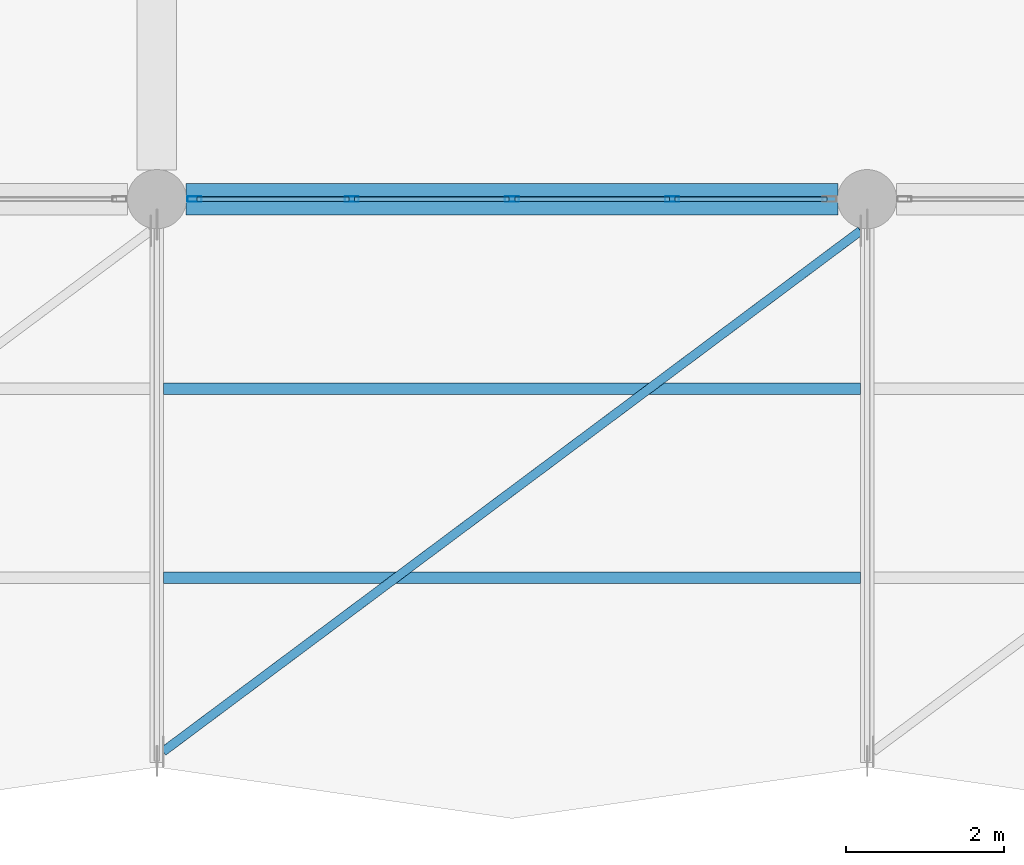
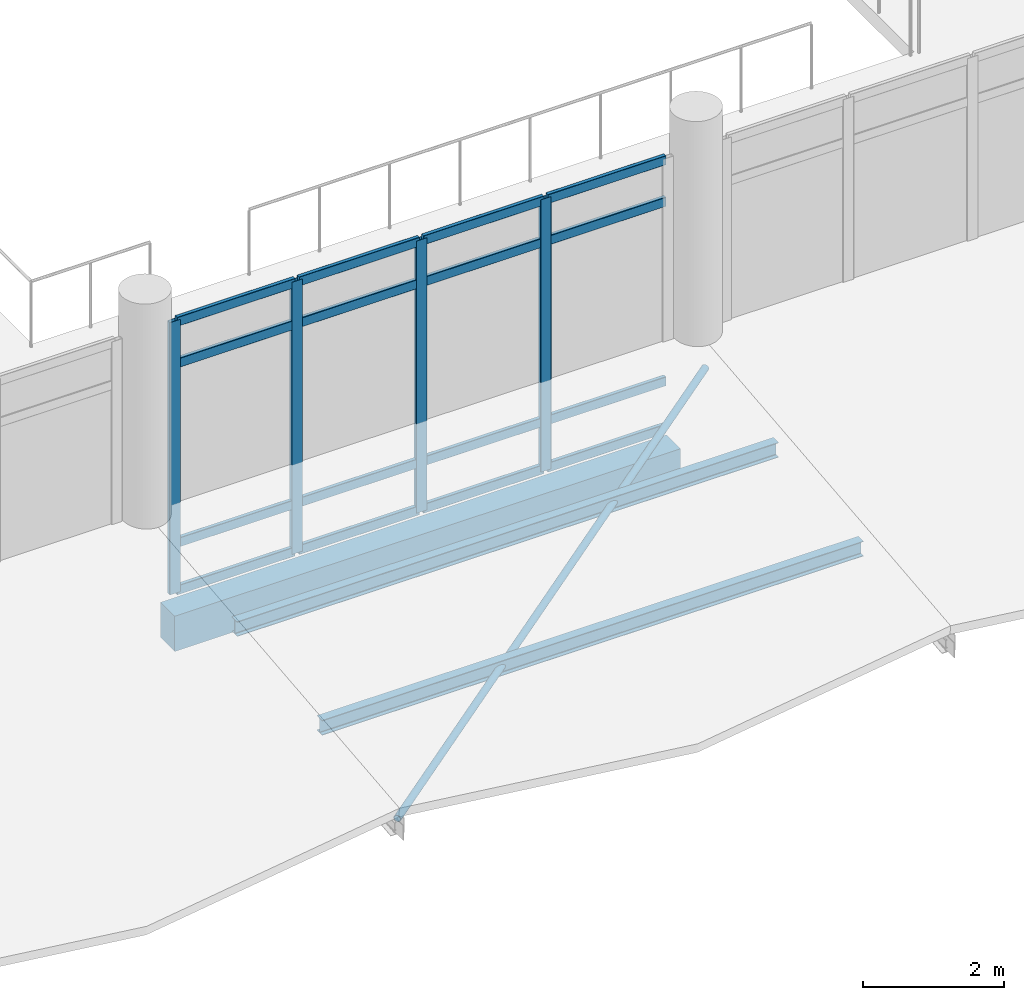
# One storey, part 35 of 180: 21 members, 3 beams, 1 element without a shape of its own.
"""IFC4 building model written with IfcOpenShell, lengths in metres."""

import ifcopenshell
import ifcopenshell.guid

model = None  # the IFC model being written
_history = None  # IfcOwnerHistory: only IFC2X3 demands one
_inside = {}  # id of a spatial element -> (the spatial element, [elements in it])
_under = {}  # id of a project, library or spatial element -> (it, [spatial elements below it])
_declared = {}  # id of a project -> (the project, [libraries it declares])
_typed = {}  # id of a type object -> (the type object, [elements of that type])
_made_of = {}  # id of a material, layer set ... -> (it, [elements and type objects made of it])


def new_model(schema):
    """Start an empty IFC model of exactly this schema.

    Asked for "IFC4X3", IfcOpenShell would pick the latest addendum, in which some entities
    have other attributes; the version numbers below select the first issue.
    IFC2X3 requires an IfcOwnerHistory on every rooted entity: one is made here for all.
    """
    global model, _history
    if schema == "IFC4X3":
        model = ifcopenshell.file(schema_version=(4, 3, 0, 0))
    else:
        model = ifcopenshell.file(schema=schema)
    _inside.clear()
    _under.clear()
    _declared.clear()
    _typed.clear()
    _made_of.clear()
    _history = None
    if model.schema == "IFC2X3":
        org = make("IfcOrganization", Name="unknown")
        user = make(
            "IfcPersonAndOrganization",
            ThePerson=make("IfcPerson", FamilyName="unknown"),
            TheOrganization=org,
        )
        app = make(
            "IfcApplication",
            ApplicationDeveloper=org,
            Version="unknown",
            ApplicationFullName="unknown",
            ApplicationIdentifier="unknown",
        )
        _history = make(
            "IfcOwnerHistory",
            OwningUser=user,
            OwningApplication=app,
            ChangeAction="ADDED",
            CreationDate=0,
        )
    return model


def make(cls, **values):
    """One entity of the class cls with the attributes given. An attribute that is None is left unset."""
    return model.create_entity(
        cls, **{name: value for name, value in values.items() if value is not None}
    )


def rooted(cls, **values):
    """An entity with a GlobalId (a new one), such as an element, a storey or a relation."""
    return make(cls, GlobalId=ifcopenshell.guid.new(), OwnerHistory=_history, **values)


def si_unit(unit_type, name, prefix=None):
    """IfcSIUnit, for example si_unit("LENGTHUNIT", "METRE", prefix="MILLI")."""
    return make("IfcSIUnit", UnitType=unit_type, Prefix=prefix, Name=name)


def assignment(units):
    """IfcUnitAssignment: the units of a project."""
    return None if units is None else make("IfcUnitAssignment", Units=units)


def point(xyz):
    """IfcCartesianPoint."""
    return None if xyz is None else make("IfcCartesianPoint", Coordinates=xyz)


def direction(xyz):
    """IfcDirection."""
    return None if xyz is None else make("IfcDirection", DirectionRatios=xyz)


def frame(location, z_axis=None, x_axis=None):
    """IfcAxis2Placement3D, a coordinate frame: its origin and axes. An axis left out is left unset."""
    return make(
        "IfcAxis2Placement3D",
        Location=point(location),
        Axis=direction(z_axis),
        RefDirection=direction(x_axis),
    )


def frame_2d(location, x_axis=None):
    """IfcAxis2Placement2D, a coordinate frame in the plane: its origin and x axis."""
    return make(
        "IfcAxis2Placement2D", Location=point(location), RefDirection=direction(x_axis)
    )


def origin():
    """The frame at (0, 0, 0) with its axes left unset."""
    return frame((0.0, 0.0, 0.0))


def origin_2d():
    """The frame at (0, 0) in the plane with its x axis left unset."""
    return frame_2d((0.0, 0.0))


def place(relative_to, where):
    """IfcLocalPlacement: puts the frame where relative to a parent placement (None: the world)."""
    return make(
        "IfcLocalPlacement", PlacementRelTo=relative_to, RelativePlacement=where
    )


def context(
    kind, dimensions, precision=None, world=None, true_north=None, identifier=None
):
    """IfcGeometricRepresentationContext, for example the 3D "Model" context."""
    return make(
        "IfcGeometricRepresentationContext",
        ContextIdentifier=identifier,
        ContextType=kind,
        CoordinateSpaceDimension=dimensions,
        Precision=precision,
        WorldCoordinateSystem=world,
        TrueNorth=true_north,
    )


def subcontext(parent, identifier, kind, view, scale=None):
    """IfcGeometricRepresentationSubContext, for example "Body" below "Model"."""
    return make(
        "IfcGeometricRepresentationSubContext",
        ContextIdentifier=identifier,
        ContextType=kind,
        ParentContext=parent,
        TargetScale=scale,
        TargetView=view,
    )


def project(units=None, contexts=None):
    """IfcProject with its units and contexts."""
    return rooted(
        "IfcProject",
        Name="project",
        RepresentationContexts=contexts,
        UnitsInContext=assignment(units),
    )


def spatial(cls, under=None, at=None, **own):
    """A site, building, storey or space (cls), placed at a placement, below another one or the project."""
    s = rooted(cls, ObjectPlacement=at, **own)
    if under is not None:
        _under.setdefault(under.id(), (under, []))[1].append(s)
    return s


def profile(cls, at=None, kind="AREA", **sizes):
    """A parametric profile (cls). Its sizes go by their IFC names, for example OverallWidth=200.0."""
    return make(cls, ProfileType=kind, Position=at, **sizes)


def rectangle(**sizes):
    """IfcRectangleProfileDef."""
    return profile("IfcRectangleProfileDef", **sizes)


def hollow_rectangle(**sizes):
    """IfcRectangleHollowProfileDef."""
    return profile("IfcRectangleHollowProfileDef", **sizes)


def hollow_circle(**sizes):
    """IfcCircleHollowProfileDef."""
    return profile("IfcCircleHollowProfileDef", **sizes)


def i_section(**sizes):
    """IfcIShapeProfileDef."""
    return profile("IfcIShapeProfileDef", **sizes)


def extrude(swept, where, along, depth):
    """IfcExtrudedAreaSolid: the profile swept, set in the frame where, extruded along a direction by depth."""
    return make(
        "IfcExtrudedAreaSolid",
        SweptArea=swept,
        Position=where,
        ExtrudedDirection=direction(along),
        Depth=depth,
    )


def shape(context_of_items, identifier, shape_type, items):
    """IfcShapeRepresentation: the items that make up one representation, for example the "Body"."""
    return make(
        "IfcShapeRepresentation",
        ContextOfItems=context_of_items,
        RepresentationIdentifier=identifier,
        RepresentationType=shape_type,
        Items=items,
    )


def material(Name=None, Category=None):
    """IfcMaterial."""
    return make("IfcMaterial", Name=Name, Category=Category)


def material_profile(
    of_material, cross_section, Name=None, Category=None, Priority=None
):
    """IfcMaterialProfile: a cross section and its material."""
    return make(
        "IfcMaterialProfile",
        Name=Name,
        Material=of_material,
        Profile=cross_section,
        Priority=Priority,
        Category=Category,
    )


def profile_set(profiles, Name=None, composite=None):
    """IfcMaterialProfileSet."""
    return make(
        "IfcMaterialProfileSet",
        Name=Name,
        MaterialProfiles=profiles,
        CompositeProfile=composite,
    )


def made_of(thing, what):
    """Note that an element or type object is made of a material, layer set ...; save() writes the relation."""
    if what is not None:
        _made_of.setdefault(what.id(), (what, []))[1].append(thing)
    return thing


def type_object(cls, material=None, **own):
    """A type object (cls), such as IfcWallType, which elements share."""
    return made_of(rooted(cls, **own), material)


def element(
    cls,
    number,
    at=None,
    inside=None,
    cuts=None,
    type_object=None,
    material=None,
    context=None,
    identifier="Body",
    shape_type=None,
    held_by="IfcProductDefinitionShape",
    body=None,
    shapes=None,
    **own,
):
    """One element of the class cls, such as IfcWall. Its Tag is "e" and its number.

    at: its placement. inside: the storey or other place that contains it. cuts: it is an
    opening in that element (IfcRelVoidsElement). A single representation is given by context,
    identifier, shape_type and body (its items); several are given by shapes. held_by: the class
    of the entity that holds the representations. save() writes the other relations.
    """
    e = rooted(cls, Tag="e%d" % number, ObjectPlacement=at, **own)
    if body is not None:
        shapes = [shape(context, identifier, shape_type, body)]
    if shapes is not None:
        e.Representation = make(held_by, Representations=shapes)
    if inside is not None:
        _inside.setdefault(inside.id(), (inside, []))[1].append(e)
    if cuts is not None:
        rooted(
            "IfcRelVoidsElement", RelatingBuildingElement=cuts, RelatedOpeningElement=e
        )
    if type_object is not None:
        _typed.setdefault(type_object.id(), (type_object, []))[1].append(e)
    return made_of(e, material)


def aggregate(whole, parts):
    """IfcRelAggregates: a whole, such as a stair, and the parts it consists of."""
    return rooted("IfcRelAggregates", RelatingObject=whole, RelatedObjects=parts)


def save(model, path):
    """Write the relations noted so far, then the file.

    IfcRelAggregates (storeys below a building ...), IfcRelContainedInSpatialStructure (elements
    in a storey), IfcRelDefinesByType, IfcRelAssociatesMaterial and IfcRelDeclares: one each for
    every whole, place, type object, material and project.
    """
    for whole, parts in _under.values():
        aggregate(whole, parts)
    for where, things in _inside.values():
        rooted(
            "IfcRelContainedInSpatialStructure",
            RelatedElements=things,
            RelatingStructure=where,
        )
    for kind, things in _typed.values():
        rooted("IfcRelDefinesByType", RelatedObjects=things, RelatingType=kind)
    for what, things in _made_of.values():
        rooted("IfcRelAssociatesMaterial", RelatedObjects=things, RelatingMaterial=what)
    for by, libraries in _declared.values():
        rooted("IfcRelDeclares", RelatingContext=by, RelatedDefinitions=libraries)
    model.write(path)


model = new_model("IFC4")

# Units and contexts
model_context = context("Model", 3, precision=1e-05, world=origin(), true_north=direction((0.0, 1.0)))
body_context = subcontext(model_context, "Body", "Model", "MODEL_VIEW")
ifc_project = project(units=[si_unit("LENGTHUNIT", "METRE"), si_unit("AREAUNIT", "SQUARE_METRE"), si_unit("VOLUMEUNIT", "CUBIC_METRE"), si_unit("PLANEANGLEUNIT", "RADIAN"), si_unit("MASSUNIT", "GRAM", prefix="KILO")], contexts=[model_context])

# Site, building, storey
site_placement = place(None, origin())
site = spatial("IfcSite", under=ifc_project, at=site_placement, CompositionType="ELEMENT")
building_placement = place(site_placement, origin())
building = spatial("IfcBuilding", under=site, at=building_placement, Name="Lusvemor Sports Hall", CompositionType="ELEMENT")
storey_placement = place(building_placement, frame((0.0, 0.0, 5.39990234375)))
storey = spatial("IfcBuildingStorey", under=building, at=storey_placement, Name="L01", CompositionType="ELEMENT", Elevation=5.39990234375)

# Member
ifc_material_1 = material(Name="Steel S355", Category="steel")
ifc_material_profile_1 = material_profile(ifc_material_1, hollow_circle(Radius=0.05712890625, WallThickness=0.00634765625, at=origin_2d()), Name="CHS114.3x6.3")
ifc_profile_set_1 = profile_set([ifc_material_profile_1], Name="Steel S355")
member_type_1 = type_object("IfcMemberType", Name="BRACE_CANOPY_114", PredefinedType="BRACE", material=ifc_profile_set_1)
member_1_placement = place(storey_placement, frame((84.679931640625, 0.199951171875, 0.4736328125), z_axis=(0.799750589505, 0.597101754721, 0.062197179156), x_axis=(-0.59826005728, 0.801302005403, 0.0)))
element("IfcMember", 1, at=member_1_placement, inside=storey, type_object=member_type_1, Name="Canopy Wind Brace 9", PredefinedType="BRACE", context=body_context, shape_type="SweptSolid", body=[
    extrude(hollow_circle(Radius=0.05712890625, WallThickness=0.00634765625, at=origin_2d()), origin(), (0.0, 0.0, 1.0), 11.053466796875),
])

# Curtain wall, members
ifc_material_2 = material(Name="Thermally broken bronze-anodized aluminium", Category="aluminium")
curtain_wall_type = type_object("IfcCurtainWallType", Name="CW_FOYER_A", PredefinedType="NOTDEFINED", material=ifc_material_2)
curtain_wall_placement = place(storey_placement, origin())
curtain_wall = element("IfcCurtainWall", 2, at=curtain_wall_placement, inside=storey, type_object=curtain_wall_type, Name="Curtain Wall CW-V4S-L01-1", PredefinedType="NOTDEFINED")
ifc_material_3 = material(Name="Thermally broken bronze-anodized aluminium", Category="aluminium")
ifc_material_profile_2 = material_profile(ifc_material_3, hollow_rectangle(XDim=0.070068359375, YDim=0.179931640625, WallThickness=0.0048828125, InnerFilletRadius=0.0048828125, OuterFilletRadius=0.010009765625, at=origin_2d()), Name="CWMUL180x70x5")
ifc_profile_set_2 = profile_set([ifc_material_profile_2], Name="Thermally broken bronze-anodized aluminium")
member_type_2 = type_object("IfcMemberType", Name="CW_MUL_A", PredefinedType="MULLION", material=ifc_profile_set_2)
member_2_placement = place(storey_placement, frame((91.1298828125, 7.199951171875, 0.0), z_axis=(0.0, 0.0, 1.0), x_axis=(0.0, -1.0, 0.0)))
member_2 = element("IfcMember", 3, at=member_2_placement, type_object=member_type_2, Name="CW01 mullion 2", PredefinedType="MULLION", context=body_context, shape_type="SweptSolid", body=[
    extrude(hollow_rectangle(XDim=0.070068359375, YDim=0.179931640625, WallThickness=0.0048828125, InnerFilletRadius=0.0048828125, OuterFilletRadius=0.010009765625, at=origin_2d()), origin(), (0.0, 0.0, 1.0), 4.7001953125),
])
member_3_placement = place(storey_placement, frame((89.10009765625, 7.199951171875, 0.0), z_axis=(0.0, 0.0, 1.0), x_axis=(0.0, -1.0, 0.0)))
member_3 = element("IfcMember", 4, at=member_3_placement, type_object=member_type_2, Name="CW01 mullion 3", PredefinedType="MULLION", context=body_context, shape_type="SweptSolid", body=[
    extrude(hollow_rectangle(XDim=0.070068359375, YDim=0.179931640625, WallThickness=0.0048828125, InnerFilletRadius=0.0048828125, OuterFilletRadius=0.010009765625, at=origin_2d()), origin(), (0.0, 0.0, 1.0), 4.7001953125),
])
member_4_placement = place(storey_placement, frame((87.070068359375, 7.199951171875, 0.0), z_axis=(0.0, 0.0, 1.0), x_axis=(0.0, -1.0, 0.0)))
member_4 = element("IfcMember", 5, at=member_4_placement, type_object=member_type_2, Name="CW01 mullion 4", PredefinedType="MULLION", context=body_context, shape_type="SweptSolid", body=[
    extrude(hollow_rectangle(XDim=0.070068359375, YDim=0.179931640625, WallThickness=0.0048828125, InnerFilletRadius=0.0048828125, OuterFilletRadius=0.010009765625, at=origin_2d()), origin(), (0.0, 0.0, 1.0), 4.7001953125),
])
member_5_placement = place(storey_placement, frame((85.074951171875, 7.199951171875, 0.0), z_axis=(0.0, 0.0, 1.0), x_axis=(0.0, -1.0, 0.0)))
member_5 = element("IfcMember", 6, at=member_5_placement, type_object=member_type_2, Name="CW01 mullion 5", PredefinedType="MULLION", context=body_context, shape_type="SweptSolid", body=[
    extrude(hollow_rectangle(XDim=0.070068359375, YDim=0.179931640625, WallThickness=0.0048828125, InnerFilletRadius=0.0048828125, OuterFilletRadius=0.010009765625, at=origin_2d()), origin(), (0.0, 0.0, 1.0), 4.7001953125),
])
ifc_material_4 = material(Name="Thermally broken bronze-anodized aluminium", Category="aluminium")
ifc_material_profile_3 = material_profile(ifc_material_4, hollow_rectangle(XDim=0.06494140625, YDim=0.159912109375, WallThickness=0.00390625, InnerFilletRadius=0.00390625, OuterFilletRadius=0.008056640625, at=origin_2d()), Name="CWTRN160x65x4")
ifc_profile_set_3 = profile_set([ifc_material_profile_3], Name="Thermally broken bronze-anodized aluminium")
member_type_3 = type_object("IfcMemberType", Name="CW_TRN_A", PredefinedType="USERDEFINED", material=ifc_profile_set_3)
member_6_placement = place(storey_placement, frame((93.090087890625, 7.199951171875, 0.03271484375), z_axis=(-1.0, 0.0, 0.0), x_axis=(0.0, -1.0, 0.0)))
member_6 = element("IfcMember", 7, at=member_6_placement, type_object=member_type_3, Name="CW01 transom 1.1", ObjectType="TRANSOM", PredefinedType="USERDEFINED", context=body_context, shape_type="SweptSolid", body=[
    extrude(hollow_rectangle(XDim=0.06494140625, YDim=0.159912109375, WallThickness=0.00390625, InnerFilletRadius=0.00390625, OuterFilletRadius=0.008056640625, at=origin_2d()), origin(), (0.0, 0.0, 1.0), 1.925048828125),
])
member_7_placement = place(storey_placement, frame((93.090087890625, 7.199951171875, 0.85009765625), z_axis=(-1.0, 0.0, 0.0), x_axis=(0.0, -1.0, 0.0)))
member_7 = element("IfcMember", 8, at=member_7_placement, type_object=member_type_3, Name="CW01 transom 1.2", ObjectType="TRANSOM", PredefinedType="USERDEFINED", context=body_context, shape_type="SweptSolid", body=[
    extrude(hollow_rectangle(XDim=0.06494140625, YDim=0.159912109375, WallThickness=0.00390625, InnerFilletRadius=0.00390625, OuterFilletRadius=0.008056640625, at=origin_2d()), origin(), (0.0, 0.0, 1.0), 1.925048828125),
])
member_8_placement = place(storey_placement, frame((93.090087890625, 7.199951171875, 3.9501953125), z_axis=(-1.0, 0.0, 0.0), x_axis=(0.0, -1.0, 0.0)))
member_8 = element("IfcMember", 9, at=member_8_placement, type_object=member_type_3, Name="CW01 transom 1.3", ObjectType="TRANSOM", PredefinedType="USERDEFINED", context=body_context, shape_type="SweptSolid", body=[
    extrude(hollow_rectangle(XDim=0.06494140625, YDim=0.159912109375, WallThickness=0.00390625, InnerFilletRadius=0.00390625, OuterFilletRadius=0.008056640625, at=origin_2d()), origin(), (0.0, 0.0, 1.0), 1.925048828125),
])
member_9_placement = place(storey_placement, frame((93.090087890625, 7.199951171875, 4.66748046875), z_axis=(-1.0, 0.0, 0.0), x_axis=(0.0, -1.0, 0.0)))
member_9 = element("IfcMember", 10, at=member_9_placement, type_object=member_type_3, Name="CW01 transom 1.4", ObjectType="TRANSOM", PredefinedType="USERDEFINED", context=body_context, shape_type="SweptSolid", body=[
    extrude(hollow_rectangle(XDim=0.06494140625, YDim=0.159912109375, WallThickness=0.00390625, InnerFilletRadius=0.00390625, OuterFilletRadius=0.008056640625, at=origin_2d()), origin(), (0.0, 0.0, 1.0), 1.925048828125),
])
member_10_placement = place(storey_placement, frame((91.094970703125, 7.199951171875, 0.03271484375), z_axis=(-1.0, 0.0, 0.0), x_axis=(0.0, -1.0, 0.0)))
member_10 = element("IfcMember", 11, at=member_10_placement, type_object=member_type_3, Name="CW01 transom 2.1", ObjectType="TRANSOM", PredefinedType="USERDEFINED", context=body_context, shape_type="SweptSolid", body=[
    extrude(hollow_rectangle(XDim=0.06494140625, YDim=0.159912109375, WallThickness=0.00390625, InnerFilletRadius=0.00390625, OuterFilletRadius=0.008056640625, at=origin_2d()), origin(), (0.0, 0.0, 1.0), 1.9599609375),
])
member_11_placement = place(storey_placement, frame((91.094970703125, 7.199951171875, 0.85009765625), z_axis=(-1.0, 0.0, 0.0), x_axis=(0.0, -1.0, 0.0)))
member_11 = element("IfcMember", 12, at=member_11_placement, type_object=member_type_3, Name="CW01 transom 2.2", ObjectType="TRANSOM", PredefinedType="USERDEFINED", context=body_context, shape_type="SweptSolid", body=[
    extrude(hollow_rectangle(XDim=0.06494140625, YDim=0.159912109375, WallThickness=0.00390625, InnerFilletRadius=0.00390625, OuterFilletRadius=0.008056640625, at=origin_2d()), origin(), (0.0, 0.0, 1.0), 1.9599609375),
])
member_12_placement = place(storey_placement, frame((91.094970703125, 7.199951171875, 3.9501953125), z_axis=(-1.0, 0.0, 0.0), x_axis=(0.0, -1.0, 0.0)))
member_12 = element("IfcMember", 13, at=member_12_placement, type_object=member_type_3, Name="CW01 transom 2.3", ObjectType="TRANSOM", PredefinedType="USERDEFINED", context=body_context, shape_type="SweptSolid", body=[
    extrude(hollow_rectangle(XDim=0.06494140625, YDim=0.159912109375, WallThickness=0.00390625, InnerFilletRadius=0.00390625, OuterFilletRadius=0.008056640625, at=origin_2d()), origin(), (0.0, 0.0, 1.0), 1.9599609375),
])
member_13_placement = place(storey_placement, frame((91.094970703125, 7.199951171875, 4.66748046875), z_axis=(-1.0, 0.0, 0.0), x_axis=(0.0, -1.0, 0.0)))
member_13 = element("IfcMember", 14, at=member_13_placement, type_object=member_type_3, Name="CW01 transom 2.4", ObjectType="TRANSOM", PredefinedType="USERDEFINED", context=body_context, shape_type="SweptSolid", body=[
    extrude(hollow_rectangle(XDim=0.06494140625, YDim=0.159912109375, WallThickness=0.00390625, InnerFilletRadius=0.00390625, OuterFilletRadius=0.008056640625, at=origin_2d()), origin(), (0.0, 0.0, 1.0), 1.9599609375),
])
member_14_placement = place(storey_placement, frame((89.06494140625, 7.199951171875, 0.03271484375), z_axis=(-1.0, 0.0, 0.0), x_axis=(0.0, -1.0, 0.0)))
member_14 = element("IfcMember", 15, at=member_14_placement, type_object=member_type_3, Name="CW01 transom 3.1", ObjectType="TRANSOM", PredefinedType="USERDEFINED", context=body_context, shape_type="SweptSolid", body=[
    extrude(hollow_rectangle(XDim=0.06494140625, YDim=0.159912109375, WallThickness=0.00390625, InnerFilletRadius=0.00390625, OuterFilletRadius=0.008056640625, at=origin_2d()), origin(), (0.0, 0.0, 1.0), 1.9599609375),
])
member_15_placement = place(storey_placement, frame((89.06494140625, 7.199951171875, 0.85009765625), z_axis=(-1.0, 0.0, 0.0), x_axis=(0.0, -1.0, 0.0)))
member_15 = element("IfcMember", 16, at=member_15_placement, type_object=member_type_3, Name="CW01 transom 3.2", ObjectType="TRANSOM", PredefinedType="USERDEFINED", context=body_context, shape_type="SweptSolid", body=[
    extrude(hollow_rectangle(XDim=0.06494140625, YDim=0.159912109375, WallThickness=0.00390625, InnerFilletRadius=0.00390625, OuterFilletRadius=0.008056640625, at=origin_2d()), origin(), (0.0, 0.0, 1.0), 1.9599609375),
])
member_16_placement = place(storey_placement, frame((89.06494140625, 7.199951171875, 3.9501953125), z_axis=(-1.0, 0.0, 0.0), x_axis=(0.0, -1.0, 0.0)))
member_16 = element("IfcMember", 17, at=member_16_placement, type_object=member_type_3, Name="CW01 transom 3.3", ObjectType="TRANSOM", PredefinedType="USERDEFINED", context=body_context, shape_type="SweptSolid", body=[
    extrude(hollow_rectangle(XDim=0.06494140625, YDim=0.159912109375, WallThickness=0.00390625, InnerFilletRadius=0.00390625, OuterFilletRadius=0.008056640625, at=origin_2d()), origin(), (0.0, 0.0, 1.0), 1.9599609375),
])
member_17_placement = place(storey_placement, frame((89.06494140625, 7.199951171875, 4.66748046875), z_axis=(-1.0, 0.0, 0.0), x_axis=(0.0, -1.0, 0.0)))
member_17 = element("IfcMember", 18, at=member_17_placement, type_object=member_type_3, Name="CW01 transom 3.4", ObjectType="TRANSOM", PredefinedType="USERDEFINED", context=body_context, shape_type="SweptSolid", body=[
    extrude(hollow_rectangle(XDim=0.06494140625, YDim=0.159912109375, WallThickness=0.00390625, InnerFilletRadius=0.00390625, OuterFilletRadius=0.008056640625, at=origin_2d()), origin(), (0.0, 0.0, 1.0), 1.9599609375),
])
member_18_placement = place(storey_placement, frame((87.034912109375, 7.199951171875, 0.03271484375), z_axis=(-1.0, 0.0, 0.0), x_axis=(0.0, -1.0, 0.0)))
member_18 = element("IfcMember", 19, at=member_18_placement, type_object=member_type_3, Name="CW01 transom 4.1", ObjectType="TRANSOM", PredefinedType="USERDEFINED", context=body_context, shape_type="SweptSolid", body=[
    extrude(hollow_rectangle(XDim=0.06494140625, YDim=0.159912109375, WallThickness=0.00390625, InnerFilletRadius=0.00390625, OuterFilletRadius=0.008056640625, at=origin_2d()), origin(), (0.0, 0.0, 1.0), 1.9248046875),
])
member_19_placement = place(storey_placement, frame((87.034912109375, 7.199951171875, 0.85009765625), z_axis=(-1.0, 0.0, 0.0), x_axis=(0.0, -1.0, 0.0)))
member_19 = element("IfcMember", 20, at=member_19_placement, type_object=member_type_3, Name="CW01 transom 4.2", ObjectType="TRANSOM", PredefinedType="USERDEFINED", context=body_context, shape_type="SweptSolid", body=[
    extrude(hollow_rectangle(XDim=0.06494140625, YDim=0.159912109375, WallThickness=0.00390625, InnerFilletRadius=0.00390625, OuterFilletRadius=0.008056640625, at=origin_2d()), origin(), (0.0, 0.0, 1.0), 1.9248046875),
])
member_20_placement = place(storey_placement, frame((87.034912109375, 7.199951171875, 3.9501953125), z_axis=(-1.0, 0.0, 0.0), x_axis=(0.0, -1.0, 0.0)))
member_20 = element("IfcMember", 21, at=member_20_placement, type_object=member_type_3, Name="CW01 transom 4.3", ObjectType="TRANSOM", PredefinedType="USERDEFINED", context=body_context, shape_type="SweptSolid", body=[
    extrude(hollow_rectangle(XDim=0.06494140625, YDim=0.159912109375, WallThickness=0.00390625, InnerFilletRadius=0.00390625, OuterFilletRadius=0.008056640625, at=origin_2d()), origin(), (0.0, 0.0, 1.0), 1.9248046875),
])
member_21_placement = place(storey_placement, frame((87.034912109375, 7.199951171875, 4.66748046875), z_axis=(-1.0, 0.0, 0.0), x_axis=(0.0, -1.0, 0.0)))
member_21 = element("IfcMember", 22, at=member_21_placement, type_object=member_type_3, Name="CW01 transom 4.4", ObjectType="TRANSOM", PredefinedType="USERDEFINED", context=body_context, shape_type="SweptSolid", body=[
    extrude(hollow_rectangle(XDim=0.06494140625, YDim=0.159912109375, WallThickness=0.00390625, InnerFilletRadius=0.00390625, OuterFilletRadius=0.008056640625, at=origin_2d()), origin(), (0.0, 0.0, 1.0), 1.9248046875),
])
aggregate(curtain_wall, [member_2, member_3, member_4, member_5, member_6, member_7, member_8, member_9, member_10, member_11, member_12, member_13, member_14, member_15, member_16, member_17, member_18, member_19, member_20, member_21])

# Beams
ifc_material_5 = material(Name="Steel S355", Category="steel")
ifc_material_profile_4 = material_profile(ifc_material_5, i_section(OverallWidth=0.14599609375, OverallDepth=0.258056640625, WebThickness=0.006103515625, FlangeThickness=0.009033203125, FilletRadius=0.012939453125, at=origin_2d()), Name="W250x32.7")
ifc_profile_set_4 = profile_set([ifc_material_profile_4], Name="Steel S355")
beam_type_1 = type_object("IfcBeamType", Name="JOIST_CANOPY", PredefinedType="JOIST", material=ifc_profile_set_4)
for number, where, z_axis, x_axis, name in (
    (23, (84.679931640625, 2.39990234375, 0.74658203125), (1.0, 0.0, 0.0), (0.0, 1.0, 0.0), "Canopy Purlin Joist 9-1"),
    (24, (84.679931640625, 4.800048828125, 0.99658203125), (1.0, 0.0, 0.0), (0.0, 1.0, 0.0), "Canopy Purlin Joist 9-2"),
):
    element("IfcBeam", number, at=place(storey_placement, frame(where, z_axis=z_axis, x_axis=x_axis)), inside=storey, type_object=beam_type_1, Name=name, PredefinedType="JOIST", context=body_context, shape_type="SweptSolid", body=[
        extrude(i_section(OverallWidth=0.14599609375, OverallDepth=0.258056640625, WebThickness=0.006103515625, FlangeThickness=0.009033203125, FilletRadius=0.012939453125, at=origin_2d()), origin(), (0.0, 0.0, 1.0), 8.840087890625),
    ])
ifc_material_6 = material(Name="Concrete C40/50", Category="concrete")
ifc_material_profile_5 = material_profile(ifc_material_6, rectangle(XDim=0.39990234375, YDim=0.610107421875, at=origin_2d()), Name="RC400x610")
ifc_profile_set_5 = profile_set([ifc_material_profile_5], Name="Concrete C40/50")
beam_type_2 = type_object("IfcBeamType", Name="SPAND_EXT_650", PredefinedType="SPANDREL", material=ifc_profile_set_5)
beam_placement = place(storey_placement, frame((84.970947265625, 7.199951171875, -0.56494140625), z_axis=(1.0, 0.0, 0.0), x_axis=(0.0, 1.0, 0.0)))
element("IfcBeam", 25, at=beam_placement, inside=storey, type_object=beam_type_2, Name="Beam L01 B:9-10", PredefinedType="SPANDREL", context=body_context, shape_type="SweptSolid", body=[
    extrude(rectangle(XDim=0.39990234375, YDim=0.610107421875, at=origin_2d()), origin(), (0.0, 0.0, 1.0), 8.258056640625),
])

save(model, "model.ifc")
